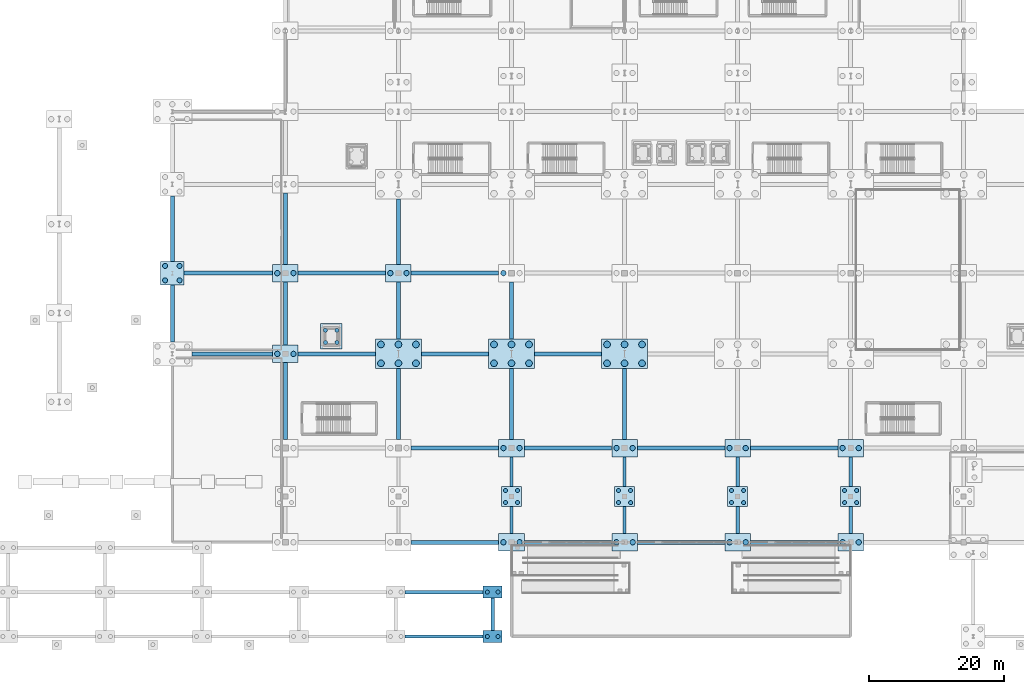
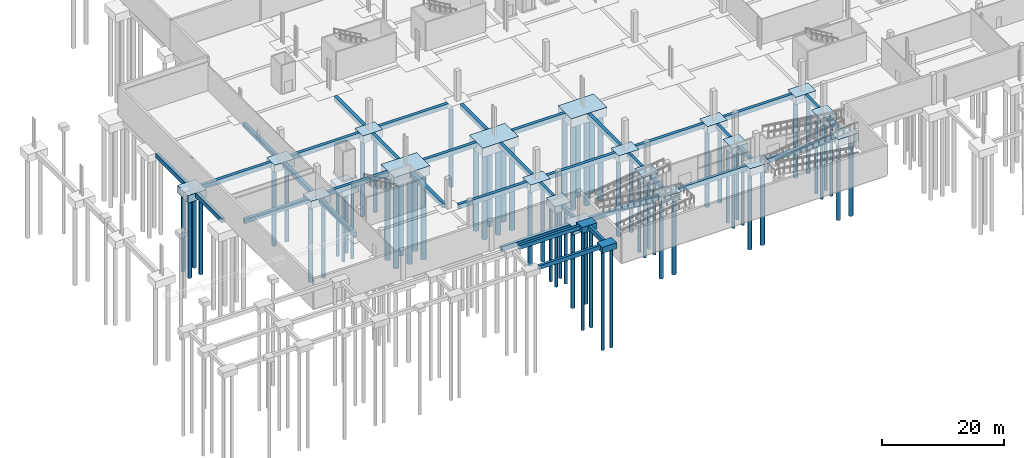
# One storey, part 2 of 46: 69 piles, 59 footings.
"""IFC4 building model written with IfcOpenShell, lengths in metres."""

from ifc_helpers import new_model, si_unit, direction, frame, origin, origin_2d, place, context, subcontext, project, spatial, rectangle, circle, extrude, material, material_profile, profile_set, type_object, element, save


model = new_model("IFC4")

# Units and contexts
model_context = context("Model", 3, precision=1e-05, world=origin(), true_north=direction((0.0, 1.0)))
body_context = subcontext(model_context, "Body", "Model", "MODEL_VIEW")
ifc_project = project(units=[si_unit("LENGTHUNIT", "METRE"), si_unit("AREAUNIT", "SQUARE_METRE"), si_unit("VOLUMEUNIT", "CUBIC_METRE"), si_unit("PLANEANGLEUNIT", "RADIAN"), si_unit("MASSUNIT", "GRAM", prefix="KILO")], contexts=[model_context])

# Site, building, storey
site_placement = place(None, origin())
site = spatial("IfcSite", under=ifc_project, at=site_placement, CompositionType="ELEMENT")
building_placement = place(site_placement, origin())
building = spatial("IfcBuilding", under=site, at=building_placement, Name="Kimbaza Rail Terminus", CompositionType="ELEMENT")
storey_placement = place(building_placement, frame((0.0, 0.0, -6.0)))
storey = spatial("IfcBuildingStorey", under=building, at=storey_placement, Name="B1", CompositionType="ELEMENT", Elevation=-6.0)

# Footings
ifc_material_1 = material(Name="Concrete C40/50", Category="concrete")
ifc_material_profile_1 = material_profile(ifc_material_1, rectangle(XDim=0.60009765625, YDim=0.89990234375, at=origin_2d()), Name="GB-01 600x900")
ifc_profile_set_1 = profile_set([ifc_material_profile_1], Name="Concrete C40/50")
footing_type_1 = type_object("IfcFootingType", Name="STR-GB-01", PredefinedType="FOOTING_BEAM", material=ifc_profile_set_1)
footing_1_placement = place(storey_placement, frame((41.302001953125, 55.0, -0.449951171875), z_axis=(1.0, 0.0, 0.0), x_axis=(0.0, 1.0, 0.0)))
element("IfcFooting", 1, at=footing_1_placement, inside=storey, type_object=footing_type_1, Name="Ground Tie Beam GB-V2X-0-2", PredefinedType="FOOTING_BEAM", context=body_context, shape_type="SweptSolid", body=[
    extrude(rectangle(XDim=0.60009765625, YDim=0.89990234375, at=origin_2d()), origin(), (0.0, 0.0, 1.0), 11.99609375),
])
footing_2_placement = place(storey_placement, frame((38.39990234375, 56.802001953125, -0.449951171875), z_axis=(0.0, 1.0, 0.0), x_axis=(-1.0, 0.0, 0.0)))
element("IfcFooting", 2, at=footing_2_placement, inside=storey, type_object=footing_type_1, Name="Ground Tie Beam GB-V2Y-0-2", PredefinedType="FOOTING_BEAM", context=body_context, shape_type="SweptSolid", body=[
    extrude(rectangle(XDim=0.60009765625, YDim=0.89990234375, at=origin_2d()), origin(), (0.0, 0.0, 1.0), 8.446044921875),
])
footing_3_placement = place(storey_placement, frame((40.152099609375, 67.0, -0.449951171875), z_axis=(1.0, 0.0, 0.0), x_axis=(0.0, 1.0, 0.0)))
element("IfcFooting", 3, at=footing_3_placement, inside=storey, type_object=footing_type_1, Name="Ground Tie Beam GB-V2X-0-3", PredefinedType="FOOTING_BEAM", context=body_context, shape_type="SweptSolid", body=[
    extrude(rectangle(XDim=0.60009765625, YDim=0.89990234375, at=origin_2d()), origin(), (0.0, 0.0, 1.0), 13.14599609375),
])
footing_4_placement = place(storey_placement, frame((38.39990234375, 68.751953125, -0.449951171875), z_axis=(0.0, 1.0, 0.0), x_axis=(-1.0, 0.0, 0.0)))
element("IfcFooting", 4, at=footing_4_placement, inside=storey, type_object=footing_type_1, Name="Ground Tie Beam GB-V2Y-0-3", PredefinedType="FOOTING_BEAM", context=body_context, shape_type="SweptSolid", body=[
    extrude(rectangle(XDim=0.60009765625, YDim=0.89990234375, at=origin_2d()), origin(), (0.0, 0.0, 1.0), 9.696044921875),
])
footing_5_placement = place(storey_placement, frame((55.199951171875, 42.302001953125, -0.449951171875), z_axis=(0.0, 1.0, 0.0), x_axis=(-1.0, 0.0, 0.0)))
element("IfcFooting", 5, at=footing_5_placement, inside=storey, type_object=footing_type_1, Name="Ground Tie Beam GB-V2Y-1-1", PredefinedType="FOOTING_BEAM", context=body_context, shape_type="SweptSolid", body=[
    extrude(rectangle(XDim=0.60009765625, YDim=0.89990234375, at=origin_2d()), origin(), (0.0, 0.0, 1.0), 11.39599609375),
])
footing_6_placement = place(storey_placement, frame((57.10205078125, 55.0, -0.449951171875), z_axis=(1.0, 0.0, 0.0), x_axis=(0.0, 1.0, 0.0)))
element("IfcFooting", 6, at=footing_6_placement, inside=storey, type_object=footing_type_1, Name="Ground Tie Beam GB-V2X-1-2", PredefinedType="FOOTING_BEAM", context=body_context, shape_type="SweptSolid", body=[
    extrude(rectangle(XDim=0.60009765625, YDim=0.89990234375, at=origin_2d()), origin(), (0.0, 0.0, 1.0), 11.495849609375),
])
footing_7_placement = place(storey_placement, frame((55.199951171875, 56.302001953125, -0.449951171875), z_axis=(0.0, 1.0, 0.0), x_axis=(-1.0, 0.0, 0.0)))
element("IfcFooting", 7, at=footing_7_placement, inside=storey, type_object=footing_type_1, Name="Ground Tie Beam GB-V2Y-1-2", PredefinedType="FOOTING_BEAM", context=body_context, shape_type="SweptSolid", body=[
    extrude(rectangle(XDim=0.60009765625, YDim=0.89990234375, at=origin_2d()), origin(), (0.0, 0.0, 1.0), 9.39599609375),
])
footing_8_placement = place(storey_placement, frame((57.10205078125, 67.0, -0.449951171875), z_axis=(1.0, 0.0, 0.0), x_axis=(0.0, 1.0, 0.0)))
element("IfcFooting", 8, at=footing_8_placement, inside=storey, type_object=footing_type_1, Name="Ground Tie Beam GB-V2X-1-3", PredefinedType="FOOTING_BEAM", context=body_context, shape_type="SweptSolid", body=[
    extrude(rectangle(XDim=0.60009765625, YDim=0.89990234375, at=origin_2d()), origin(), (0.0, 0.0, 1.0), 12.995849609375),
])
footing_9_placement = place(storey_placement, frame((55.199951171875, 68.302001953125, -0.449951171875), z_axis=(0.0, 1.0, 0.0), x_axis=(-1.0, 0.0, 0.0)))
element("IfcFooting", 9, at=footing_9_placement, inside=storey, type_object=footing_type_1, Name="Ground Tie Beam GB-V2Y-1-3", PredefinedType="FOOTING_BEAM", context=body_context, shape_type="SweptSolid", body=[
    extrude(rectangle(XDim=0.60009765625, YDim=0.89990234375, at=origin_2d()), origin(), (0.0, 0.0, 1.0), 10.595947265625),
])
for number, where, z_axis, x_axis, name in (
    (10, (73.902099609375, 27.0, -0.449951171875), (1.0, 0.0, 0.0), (0.0, 1.0, 0.0), "Ground Tie Beam GB-V2X-2-0"),
    (11, (73.902099609375, 41.0, -0.449951171875), (1.0, 0.0, 0.0), (0.0, 1.0, 0.0), "Ground Tie Beam GB-V2X-2-1"),
):
    element("IfcFooting", number, at=place(storey_placement, frame(where, z_axis=z_axis, x_axis=x_axis)), inside=storey, type_object=footing_type_1, Name=name, PredefinedType="FOOTING_BEAM", context=body_context, shape_type="SweptSolid", body=[
        extrude(rectangle(XDim=0.60009765625, YDim=0.89990234375, at=origin_2d()), origin(), (0.0, 0.0, 1.0), 12.995849609375),
    ])
footing_10_placement = place(storey_placement, frame((72.0, 42.302001953125, -0.449951171875), z_axis=(0.0, 1.0, 0.0), x_axis=(-1.0, 0.0, 0.0)))
element("IfcFooting", 12, at=footing_10_placement, inside=storey, type_object=footing_type_1, Name="Ground Tie Beam GB-V2Y-2-1", PredefinedType="FOOTING_BEAM", context=body_context, shape_type="SweptSolid", body=[
    extrude(rectangle(XDim=0.60009765625, YDim=0.89990234375, at=origin_2d()), origin(), (0.0, 0.0, 1.0), 10.49609375),
])
footing_11_placement = place(storey_placement, frame((75.402099609375, 55.0, -0.449951171875), z_axis=(1.0, 0.0, 0.0), x_axis=(0.0, 1.0, 0.0)))
element("IfcFooting", 13, at=footing_11_placement, inside=storey, type_object=footing_type_1, Name="Ground Tie Beam GB-V2X-2-2", PredefinedType="FOOTING_BEAM", context=body_context, shape_type="SweptSolid", body=[
    extrude(rectangle(XDim=0.60009765625, YDim=0.89990234375, at=origin_2d()), origin(), (0.0, 0.0, 1.0), 9.995849609375),
])
footing_12_placement = place(storey_placement, frame((72.0, 57.201904296875, -0.449951171875), z_axis=(0.0, 1.0, 0.0), x_axis=(-1.0, 0.0, 0.0)))
element("IfcFooting", 14, at=footing_12_placement, inside=storey, type_object=footing_type_1, Name="Ground Tie Beam GB-V2Y-2-2", PredefinedType="FOOTING_BEAM", context=body_context, shape_type="SweptSolid", body=[
    extrude(rectangle(XDim=0.60009765625, YDim=0.89990234375, at=origin_2d()), origin(), (0.0, 0.0, 1.0), 8.49609375),
])
footing_13_placement = place(storey_placement, frame((73.902099609375, 67.0, -0.449951171875), z_axis=(1.0, 0.0, 0.0), x_axis=(0.0, 1.0, 0.0)))
element("IfcFooting", 15, at=footing_13_placement, inside=storey, type_object=footing_type_1, Name="Ground Tie Beam GB-V2X-2-3", PredefinedType="FOOTING_BEAM", context=body_context, shape_type="SweptSolid", body=[
    extrude(rectangle(XDim=0.60009765625, YDim=0.89990234375, at=origin_2d()), origin(), (0.0, 0.0, 1.0), 12.995849609375),
])
footing_14_placement = place(storey_placement, frame((72.0, 68.302001953125, -0.449951171875), z_axis=(0.0, 1.0, 0.0), x_axis=(-1.0, 0.0, 0.0)))
element("IfcFooting", 16, at=footing_14_placement, inside=storey, type_object=footing_type_1, Name="Ground Tie Beam GB-V2Y-2-3", PredefinedType="FOOTING_BEAM", context=body_context, shape_type="SweptSolid", body=[
    extrude(rectangle(XDim=0.60009765625, YDim=0.89990234375, at=origin_2d()), origin(), (0.0, 0.0, 1.0), 9.696044921875),
])
for number, where, z_axis, x_axis, name in (
    (17, (90.701904296875, 27.0, -0.449951171875), (1.0, 0.0, 0.0), (0.0, 1.0, 0.0), "Ground Tie Beam GB-V2X-3-0"),
    (18, (90.701904296875, 41.0, -0.449951171875), (1.0, 0.0, 0.0), (0.0, 1.0, 0.0), "Ground Tie Beam GB-V2X-3-1"),
):
    element("IfcFooting", number, at=place(storey_placement, frame(where, z_axis=z_axis, x_axis=x_axis)), inside=storey, type_object=footing_type_1, Name=name, PredefinedType="FOOTING_BEAM", context=body_context, shape_type="SweptSolid", body=[
        extrude(rectangle(XDim=0.60009765625, YDim=0.89990234375, at=origin_2d()), origin(), (0.0, 0.0, 1.0), 12.99609375),
    ])
footing_15_placement = place(storey_placement, frame((88.800048828125, 42.302001953125, -0.449951171875), z_axis=(0.0, 1.0, 0.0), x_axis=(-1.0, 0.0, 0.0)))
element("IfcFooting", 19, at=footing_15_placement, inside=storey, type_object=footing_type_1, Name="Ground Tie Beam GB-V2Y-3-1", PredefinedType="FOOTING_BEAM", context=body_context, shape_type="SweptSolid", body=[
    extrude(rectangle(XDim=0.60009765625, YDim=0.89990234375, at=origin_2d()), origin(), (0.0, 0.0, 1.0), 10.49609375),
])
footing_16_placement = place(storey_placement, frame((92.201904296875, 55.0, -0.449951171875), z_axis=(1.0, 0.0, 0.0), x_axis=(0.0, 1.0, 0.0)))
element("IfcFooting", 20, at=footing_16_placement, inside=storey, type_object=footing_type_1, Name="Ground Tie Beam GB-V2X-3-2", PredefinedType="FOOTING_BEAM", context=body_context, shape_type="SweptSolid", body=[
    extrude(rectangle(XDim=0.60009765625, YDim=0.89990234375, at=origin_2d()), origin(), (0.0, 0.0, 1.0), 9.99609375),
])
footing_17_placement = place(storey_placement, frame((88.800048828125, 57.201904296875, -0.449951171875), z_axis=(0.0, 1.0, 0.0), x_axis=(-1.0, 0.0, 0.0)))
element("IfcFooting", 21, at=footing_17_placement, inside=storey, type_object=footing_type_1, Name="Ground Tie Beam GB-V2Y-3-2", PredefinedType="FOOTING_BEAM", context=body_context, shape_type="SweptSolid", body=[
    extrude(rectangle(XDim=0.60009765625, YDim=0.89990234375, at=origin_2d()), origin(), (0.0, 0.0, 1.0), 8.49609375),
])
for number, where, z_axis, x_axis, name in (
    (22, (107.501953125, 27.0, -0.449951171875), (1.0, 0.0, 0.0), (0.0, 1.0, 0.0), "Ground Tie Beam GB-V2X-4-0"),
    (23, (107.501953125, 41.0, -0.449951171875), (1.0, 0.0, 0.0), (0.0, 1.0, 0.0), "Ground Tie Beam GB-V2X-4-1"),
):
    element("IfcFooting", number, at=place(storey_placement, frame(where, z_axis=z_axis, x_axis=x_axis)), inside=storey, type_object=footing_type_1, Name=name, PredefinedType="FOOTING_BEAM", context=body_context, shape_type="SweptSolid", body=[
        extrude(rectangle(XDim=0.60009765625, YDim=0.89990234375, at=origin_2d()), origin(), (0.0, 0.0, 1.0), 12.99609375),
    ])
footing_18_placement = place(storey_placement, frame((105.60009765625, 42.302001953125, -0.449951171875), z_axis=(0.0, 1.0, 0.0), x_axis=(-1.0, 0.0, 0.0)))
element("IfcFooting", 24, at=footing_18_placement, inside=storey, type_object=footing_type_1, Name="Ground Tie Beam GB-V2Y-4-1", PredefinedType="FOOTING_BEAM", context=body_context, shape_type="SweptSolid", body=[
    extrude(rectangle(XDim=0.60009765625, YDim=0.89990234375, at=origin_2d()), origin(), (0.0, 0.0, 1.0), 10.49609375),
])
for number, where, z_axis, x_axis, name in (
    (25, (124.302001953125, 27.0, -0.449951171875), (1.0, 0.0, 0.0), (0.0, 1.0, 0.0), "Ground Tie Beam GB-V2X-5-0"),
    (26, (124.302001953125, 41.0, -0.449951171875), (1.0, 0.0, 0.0), (0.0, 1.0, 0.0), "Ground Tie Beam GB-V2X-5-1"),
):
    element("IfcFooting", number, at=place(storey_placement, frame(where, z_axis=z_axis, x_axis=x_axis)), inside=storey, type_object=footing_type_1, Name=name, PredefinedType="FOOTING_BEAM", context=body_context, shape_type="SweptSolid", body=[
        extrude(rectangle(XDim=0.60009765625, YDim=0.89990234375, at=origin_2d()), origin(), (0.0, 0.0, 1.0), 12.99609375),
    ])
ifc_material_2 = material(Name="Concrete C40/50", Category="concrete")
ifc_material_profile_2 = material_profile(ifc_material_2, rectangle(XDim=0.5, YDim=0.800048828125, at=origin_2d()), Name="GB-02 500x800")
ifc_profile_set_2 = profile_set([ifc_material_profile_2], Name="Concrete C40/50")
footing_type_2 = type_object("IfcFootingType", Name="STR-GB-02", PredefinedType="FOOTING_BEAM", material=ifc_profile_set_2)
footing_19_placement = place(storey_placement, frame((88.800048828125, 28.302001953125, -0.39990234375), z_axis=(0.0, 1.0, 0.0), x_axis=(-1.0, 0.0, 0.0)))
element("IfcFooting", 27, at=footing_19_placement, inside=storey, type_object=footing_type_2, Name="Ground Tie Beam GB-COL-2A", PredefinedType="FOOTING_BEAM", context=body_context, shape_type="SweptSolid", body=[
    extrude(rectangle(XDim=0.5, YDim=0.800048828125, at=origin_2d()), origin(), (0.0, 0.0, 1.0), 3.99609375),
])
footing_20_placement = place(storey_placement, frame((88.800048828125, 35.302001953125, -0.39990234375), z_axis=(0.0, 1.0, 0.0), x_axis=(-1.0, 0.0, 0.0)))
element("IfcFooting", 28, at=footing_20_placement, inside=storey, type_object=footing_type_2, Name="Ground Tie Beam GB-COL-2B", PredefinedType="FOOTING_BEAM", context=body_context, shape_type="SweptSolid", body=[
    extrude(rectangle(XDim=0.5, YDim=0.800048828125, at=origin_2d()), origin(), (0.0, 0.0, 1.0), 4.39599609375),
])
footing_21_placement = place(storey_placement, frame((105.60009765625, 28.302001953125, -0.39990234375), z_axis=(0.0, 1.0, 0.0), x_axis=(-1.0, 0.0, 0.0)))
element("IfcFooting", 29, at=footing_21_placement, inside=storey, type_object=footing_type_2, Name="Ground Tie Beam GB-COL-3A", PredefinedType="FOOTING_BEAM", context=body_context, shape_type="SweptSolid", body=[
    extrude(rectangle(XDim=0.5, YDim=0.800048828125, at=origin_2d()), origin(), (0.0, 0.0, 1.0), 3.99609375),
])
footing_22_placement = place(storey_placement, frame((105.60009765625, 35.302001953125, -0.39990234375), z_axis=(0.0, 1.0, 0.0), x_axis=(-1.0, 0.0, 0.0)))
element("IfcFooting", 30, at=footing_22_placement, inside=storey, type_object=footing_type_2, Name="Ground Tie Beam GB-COL-3B", PredefinedType="FOOTING_BEAM", context=body_context, shape_type="SweptSolid", body=[
    extrude(rectangle(XDim=0.5, YDim=0.800048828125, at=origin_2d()), origin(), (0.0, 0.0, 1.0), 4.39599609375),
])
footing_23_placement = place(storey_placement, frame((122.39990234375, 28.302001953125, -0.39990234375), z_axis=(0.0, 1.0, 0.0), x_axis=(-1.0, 0.0, 0.0)))
element("IfcFooting", 31, at=footing_23_placement, inside=storey, type_object=footing_type_2, Name="Ground Tie Beam GB-COL-4A", PredefinedType="FOOTING_BEAM", context=body_context, shape_type="SweptSolid", body=[
    extrude(rectangle(XDim=0.5, YDim=0.800048828125, at=origin_2d()), origin(), (0.0, 0.0, 1.0), 3.99609375),
])
footing_24_placement = place(storey_placement, frame((122.39990234375, 35.302001953125, -0.39990234375), z_axis=(0.0, 1.0, 0.0), x_axis=(-1.0, 0.0, 0.0)))
element("IfcFooting", 32, at=footing_24_placement, inside=storey, type_object=footing_type_2, Name="Ground Tie Beam GB-COL-4B", PredefinedType="FOOTING_BEAM", context=body_context, shape_type="SweptSolid", body=[
    extrude(rectangle(XDim=0.5, YDim=0.800048828125, at=origin_2d()), origin(), (0.0, 0.0, 1.0), 4.39599609375),
])
footing_25_placement = place(storey_placement, frame((139.199951171875, 28.302001953125, -0.39990234375), z_axis=(0.0, 1.0, 0.0), x_axis=(-1.0, 0.0, 0.0)))
element("IfcFooting", 33, at=footing_25_placement, inside=storey, type_object=footing_type_2, Name="Ground Tie Beam GB-COL-5A", PredefinedType="FOOTING_BEAM", context=body_context, shape_type="SweptSolid", body=[
    extrude(rectangle(XDim=0.5, YDim=0.800048828125, at=origin_2d()), origin(), (0.0, 0.0, 1.0), 3.99609375),
])
footing_26_placement = place(storey_placement, frame((139.199951171875, 35.302001953125, -0.39990234375), z_axis=(0.0, 1.0, 0.0), x_axis=(-1.0, 0.0, 0.0)))
element("IfcFooting", 34, at=footing_26_placement, inside=storey, type_object=footing_type_2, Name="Ground Tie Beam GB-COL-5B", PredefinedType="FOOTING_BEAM", context=body_context, shape_type="SweptSolid", body=[
    extrude(rectangle(XDim=0.5, YDim=0.800048828125, at=origin_2d()), origin(), (0.0, 0.0, 1.0), 4.39599609375),
])
for number, where, z_axis, x_axis, name in (
    (35, (73.001953125, 13.0, 4.64990234375), (1.0, 0.0, 0.0), (0.0, 1.0, 0.0), "Ground Tie Beam GB-V3X-4-0"),
    (36, (73.001953125, 19.60009765625, 4.64990234375), (1.0, 0.0, 0.0), (0.0, 1.0, 0.0), "Ground Tie Beam GB-V3X-4-1"),
):
    element("IfcFooting", number, at=place(storey_placement, frame(where, z_axis=z_axis, x_axis=x_axis)), inside=storey, type_object=footing_type_2, Name=name, PredefinedType="FOOTING_BEAM", context=body_context, shape_type="SweptSolid", body=[
        extrude(rectangle(XDim=0.5, YDim=0.800048828125, at=origin_2d()), origin(), (0.0, 0.0, 1.0), 11.595947265625),
    ])
footing_27_placement = place(storey_placement, frame((86.0, 13.902099609375, 4.64990234375), z_axis=(0.0, 1.0, 0.0), x_axis=(-1.0, 0.0, 0.0)))
element("IfcFooting", 37, at=footing_27_placement, inside=storey, type_object=footing_type_2, Name="Ground Tie Beam GB-V3Y-5-0", PredefinedType="FOOTING_BEAM", context=body_context, shape_type="SweptSolid", body=[
    extrude(rectangle(XDim=0.5, YDim=0.800048828125, at=origin_2d()), origin(), (0.0, 0.0, 1.0), 4.7958984375),
])
ifc_material_3 = material(Name="Concrete C40/50", Category="concrete")
footing_type_3 = type_object("IfcFootingType", Name="STR-PC-01", PredefinedType="PILE_CAP", material=ifc_material_3)
for number, where, z_axis, x_axis, name in (
    (38, (86.0, 13.0, 3.85009765625), (0.0, 0.0, 1.0), (1.0, 0.0, 0.0), "Pile Cap PC-01 at (86.0,13.0)"),
    (39, (86.0, 19.60009765625, 3.85009765625), (0.0, 0.0, 1.0), (1.0, 0.0, 0.0), "Pile Cap PC-01 at (86.0,19.6)"),
):
    element("IfcFooting", number, at=place(storey_placement, frame(where, z_axis=z_axis, x_axis=x_axis)), inside=storey, type_object=footing_type_3, Name=name, PredefinedType="PILE_CAP", context=body_context, shape_type="SweptSolid", body=[
        extrude(rectangle(XDim=2.800048828125, YDim=1.800048828125, at=origin_2d()), origin(), (0.0, 0.0, 1.0), 1.199951171875),
    ])
ifc_material_4 = material(Name="Concrete C40/50", Category="concrete")
footing_type_4 = type_object("IfcFootingType", Name="STR-PC-02", PredefinedType="PILE_CAP", material=ifc_material_4)
for number, where, z_axis, x_axis, name in (
    (40, (88.800048828125, 33.800048828125, -1.35009765625), (0.0, 0.0, 1.0), (1.0, 0.0, 0.0), "Pile Cap PC-02 at (88.8,33.8)"),
    (41, (105.60009765625, 33.800048828125, -1.35009765625), (0.0, 0.0, 1.0), (1.0, 0.0, 0.0), "Pile Cap PC-02 at (105.6,33.8)"),
    (42, (122.39990234375, 33.800048828125, -1.35009765625), (0.0, 0.0, 1.0), (1.0, 0.0, 0.0), "Pile Cap PC-02 at (122.4,33.8)"),
    (43, (139.199951171875, 33.800048828125, -1.35009765625), (0.0, 0.0, 1.0), (1.0, 0.0, 0.0), "Pile Cap PC-02 at (139.2,33.8)"),
):
    element("IfcFooting", number, at=place(storey_placement, frame(where, z_axis=z_axis, x_axis=x_axis)), inside=storey, type_object=footing_type_4, Name=name, PredefinedType="PILE_CAP", context=body_context, shape_type="SweptSolid", body=[
        extrude(rectangle(XDim=3.0, YDim=3.0, at=origin_2d()), origin(), (0.0, 0.0, 1.0), 1.35009765625),
    ])
ifc_material_5 = material(Name="Concrete C40/50", Category="concrete")
footing_type_5 = type_object("IfcFootingType", Name="STR-PC-03", PredefinedType="PILE_CAP", material=ifc_material_5)
footing_28_placement = place(storey_placement, frame((38.39990234375, 67.0, -1.5), z_axis=(0.0, 0.0, 1.0), x_axis=(1.0, 0.0, 0.0)))
element("IfcFooting", 44, at=footing_28_placement, inside=storey, type_object=footing_type_5, Name="Pile Cap PC-03 at (38.4,67.0)", PredefinedType="PILE_CAP", context=body_context, shape_type="SweptSolid", body=[
    extrude(rectangle(XDim=3.5, YDim=3.5, at=origin_2d()), origin(), (0.0, 0.0, 1.0), 1.5),
])
ifc_material_6 = material(Name="Concrete C40/50", Category="concrete")
footing_type_6 = type_object("IfcFootingType", Name="STR-PC-04", PredefinedType="PILE_CAP", material=ifc_material_6)
for number, where, z_axis, x_axis, name in (
    (45, (55.199951171875, 55.0, -1.5), (0.0, 0.0, 1.0), (1.0, 0.0, 0.0), "Pile Cap PC-04 at (55.2,55.0)"),
    (46, (55.199951171875, 67.0, -1.5), (0.0, 0.0, 1.0), (1.0, 0.0, 0.0), "Pile Cap PC-04 at (55.2,67.0)"),
    (47, (72.0, 67.0, -1.5), (0.0, 0.0, 1.0), (1.0, 0.0, 0.0), "Pile Cap PC-04 at (72.0,67.0)"),
    (48, (88.800048828125, 27.0, -1.5), (0.0, 0.0, 1.0), (1.0, 0.0, 0.0), "Pile Cap PC-04 at (88.8,27.0)"),
    (49, (88.800048828125, 41.0, -1.5), (0.0, 0.0, 1.0), (1.0, 0.0, 0.0), "Pile Cap PC-04 at (88.8,41.0)"),
    (50, (105.60009765625, 27.0, -1.5), (0.0, 0.0, 1.0), (1.0, 0.0, 0.0), "Pile Cap PC-04 at (105.6,27.0)"),
    (51, (105.60009765625, 41.0, -1.5), (0.0, 0.0, 1.0), (1.0, 0.0, 0.0), "Pile Cap PC-04 at (105.6,41.0)"),
    (52, (122.39990234375, 27.0, -1.5), (0.0, 0.0, 1.0), (1.0, 0.0, 0.0), "Pile Cap PC-04 at (122.4,27.0)"),
    (53, (122.39990234375, 41.0, -1.5), (0.0, 0.0, 1.0), (1.0, 0.0, 0.0), "Pile Cap PC-04 at (122.4,41.0)"),
    (54, (139.199951171875, 27.0, -1.5), (0.0, 0.0, 1.0), (1.0, 0.0, 0.0), "Pile Cap PC-04 at (139.2,27.0)"),
    (55, (139.199951171875, 41.0, -1.5), (0.0, 0.0, 1.0), (1.0, 0.0, 0.0), "Pile Cap PC-04 at (139.2,41.0)"),
):
    element("IfcFooting", number, at=place(storey_placement, frame(where, z_axis=z_axis, x_axis=x_axis)), inside=storey, type_object=footing_type_6, Name=name, PredefinedType="PILE_CAP", context=body_context, shape_type="SweptSolid", body=[
        extrude(rectangle(XDim=3.800048828125, YDim=2.60009765625, at=origin_2d()), origin(), (0.0, 0.0, 1.0), 1.5),
    ])
ifc_material_7 = material(Name="Concrete C40/50", Category="concrete")
footing_type_7 = type_object("IfcFootingType", Name="STR-PC-06", PredefinedType="PILE_CAP", material=ifc_material_7)
for number, where, z_axis, x_axis, name in (
    (56, (72.0, 55.0, -1.7998046875), (0.0, 0.0, 1.0), (1.0, 0.0, 0.0), "Pile Cap PC-06 at (72.0,55.0)"),
    (57, (88.800048828125, 55.0, -1.7998046875), (0.0, 0.0, 1.0), (1.0, 0.0, 0.0), "Pile Cap PC-06 at (88.8,55.0)"),
    (58, (105.60009765625, 55.0, -1.7998046875), (0.0, 0.0, 1.0), (1.0, 0.0, 0.0), "Pile Cap PC-06 at (105.6,55.0)"),
):
    element("IfcFooting", number, at=place(storey_placement, frame(where, z_axis=z_axis, x_axis=x_axis)), inside=storey, type_object=footing_type_7, Name=name, PredefinedType="PILE_CAP", context=body_context, shape_type="SweptSolid", body=[
        extrude(rectangle(XDim=6.800048828125, YDim=4.39990234375, at=origin_2d()), origin(), (0.0, 0.0, 1.0), 1.800048828125),
    ])
ifc_material_8 = material(Name="Concrete C40/50", Category="concrete")
footing_type_8 = type_object("IfcFootingType", Name="STR-PC-11", PredefinedType="PILE_CAP", material=ifc_material_8)
footing_29_placement = place(storey_placement, frame((62.0, 57.60009765625, -2.85009765625), z_axis=(0.0, 0.0, 1.0), x_axis=(1.0, 0.0, 0.0)))
element("IfcFooting", 59, at=footing_29_placement, inside=storey, type_object=footing_type_8, Name="Pile Cap PC-11 at (62.0,57.6)", PredefinedType="PILE_CAP", context=body_context, shape_type="SweptSolid", body=[
    extrude(rectangle(XDim=3.199951171875, YDim=3.800048828125, at=origin_2d()), origin(), (0.0, 0.0, 1.0), 1.199951171875),
])

# Piles
ifc_material_9 = material(Name="Concrete C35/45", Category="concrete")
ifc_material_profile_3 = material_profile(ifc_material_9, circle(Radius=0.5, at=origin_2d()), Name="BORED PILE 1000")
ifc_profile_set_3 = profile_set([ifc_material_profile_3], Name="Concrete C35/45")
pile_type_1 = type_object("IfcPileType", Name="STR-PILE-1000", PredefinedType="BORED", material=ifc_profile_set_3)
for number, where, z_axis, x_axis, name in (
    (60, (69.39990234375, 53.60009765625, -1.699951171875), (0.0, 0.0, -1.0), (1.0, 0.0, 0.0), "Bored Pile 1000 #1"),
    (61, (72.0, 53.60009765625, -1.699951171875), (0.0, 0.0, -1.0), (1.0, 0.0, 0.0), "Bored Pile 1000 #2"),
    (62, (74.60009765625, 53.60009765625, -1.699951171875), (0.0, 0.0, -1.0), (1.0, 0.0, 0.0), "Bored Pile 1000 #3"),
    (63, (69.39990234375, 56.39990234375, -1.699951171875), (0.0, 0.0, -1.0), (1.0, 0.0, 0.0), "Bored Pile 1000 #4"),
    (64, (72.0, 56.39990234375, -1.699951171875), (0.0, 0.0, -1.0), (1.0, 0.0, 0.0), "Bored Pile 1000 #5"),
    (65, (74.60009765625, 56.39990234375, -1.699951171875), (0.0, 0.0, -1.0), (1.0, 0.0, 0.0), "Bored Pile 1000 #6"),
    (66, (86.199951171875, 53.60009765625, -1.699951171875), (0.0, 0.0, -1.0), (1.0, 0.0, 0.0), "Bored Pile 1000 #1"),
    (67, (88.800048828125, 53.60009765625, -1.699951171875), (0.0, 0.0, -1.0), (1.0, 0.0, 0.0), "Bored Pile 1000 #2"),
    (68, (91.39990234375, 53.60009765625, -1.699951171875), (0.0, 0.0, -1.0), (1.0, 0.0, 0.0), "Bored Pile 1000 #3"),
    (69, (86.199951171875, 56.39990234375, -1.699951171875), (0.0, 0.0, -1.0), (1.0, 0.0, 0.0), "Bored Pile 1000 #4"),
    (70, (88.800048828125, 56.39990234375, -1.699951171875), (0.0, 0.0, -1.0), (1.0, 0.0, 0.0), "Bored Pile 1000 #5"),
    (71, (91.39990234375, 56.39990234375, -1.699951171875), (0.0, 0.0, -1.0), (1.0, 0.0, 0.0), "Bored Pile 1000 #6"),
    (72, (103.0, 53.60009765625, -1.699951171875), (0.0, 0.0, -1.0), (1.0, 0.0, 0.0), "Bored Pile 1000 #1"),
    (73, (105.60009765625, 53.60009765625, -1.699951171875), (0.0, 0.0, -1.0), (1.0, 0.0, 0.0), "Bored Pile 1000 #2"),
    (74, (108.199951171875, 53.60009765625, -1.699951171875), (0.0, 0.0, -1.0), (1.0, 0.0, 0.0), "Bored Pile 1000 #3"),
    (75, (103.0, 56.39990234375, -1.699951171875), (0.0, 0.0, -1.0), (1.0, 0.0, 0.0), "Bored Pile 1000 #4"),
    (76, (105.60009765625, 56.39990234375, -1.699951171875), (0.0, 0.0, -1.0), (1.0, 0.0, 0.0), "Bored Pile 1000 #5"),
    (77, (108.199951171875, 56.39990234375, -1.699951171875), (0.0, 0.0, -1.0), (1.0, 0.0, 0.0), "Bored Pile 1000 #6"),
):
    element("IfcPile", number, at=place(storey_placement, frame(where, z_axis=z_axis, x_axis=x_axis)), inside=storey, type_object=pile_type_1, Name=name, PredefinedType="BORED", context=body_context, shape_type="SweptSolid", body=[
        extrude(circle(Radius=0.5, at=origin_2d()), origin(), (0.0, 0.0, 1.0), 17.10009765625),
    ])
ifc_material_10 = material(Name="Concrete C35/45", Category="concrete")
ifc_material_profile_4 = material_profile(ifc_material_10, circle(Radius=0.300048828125, at=origin_2d()), Name="BORED PILE 600")
ifc_profile_set_4 = profile_set([ifc_material_profile_4], Name="Concrete C35/45")
pile_type_2 = type_object("IfcPileType", Name="STR-PILE-600", PredefinedType="BORED", material=ifc_profile_set_4)
for number, where, z_axis, x_axis, name in (
    (78, (87.89990234375, 32.89990234375, -1.25), (0.0, 0.0, -1.0), (1.0, 0.0, 0.0), "Bored Pile 600 #1"),
    (79, (89.699951171875, 32.89990234375, -1.25), (0.0, 0.0, -1.0), (1.0, 0.0, 0.0), "Bored Pile 600 #2"),
    (80, (87.89990234375, 34.699951171875, -1.25), (0.0, 0.0, -1.0), (1.0, 0.0, 0.0), "Bored Pile 600 #3"),
    (81, (89.699951171875, 34.699951171875, -1.25), (0.0, 0.0, -1.0), (1.0, 0.0, 0.0), "Bored Pile 600 #4"),
    (82, (104.699951171875, 32.89990234375, -1.25), (0.0, 0.0, -1.0), (1.0, 0.0, 0.0), "Bored Pile 600 #1"),
    (83, (106.5, 32.89990234375, -1.25), (0.0, 0.0, -1.0), (1.0, 0.0, 0.0), "Bored Pile 600 #2"),
    (84, (104.699951171875, 34.699951171875, -1.25), (0.0, 0.0, -1.0), (1.0, 0.0, 0.0), "Bored Pile 600 #3"),
    (85, (106.5, 34.699951171875, -1.25), (0.0, 0.0, -1.0), (1.0, 0.0, 0.0), "Bored Pile 600 #4"),
    (86, (121.5, 32.89990234375, -1.25), (0.0, 0.0, -1.0), (1.0, 0.0, 0.0), "Bored Pile 600 #1"),
    (87, (123.300048828125, 32.89990234375, -1.25), (0.0, 0.0, -1.0), (1.0, 0.0, 0.0), "Bored Pile 600 #2"),
    (88, (121.5, 34.699951171875, -1.25), (0.0, 0.0, -1.0), (1.0, 0.0, 0.0), "Bored Pile 600 #3"),
    (89, (123.300048828125, 34.699951171875, -1.25), (0.0, 0.0, -1.0), (1.0, 0.0, 0.0), "Bored Pile 600 #4"),
    (90, (138.300048828125, 32.89990234375, -1.25), (0.0, 0.0, -1.0), (1.0, 0.0, 0.0), "Bored Pile 600 #1"),
    (91, (140.10009765625, 32.89990234375, -1.25), (0.0, 0.0, -1.0), (1.0, 0.0, 0.0), "Bored Pile 600 #2"),
    (92, (138.300048828125, 34.699951171875, -1.25), (0.0, 0.0, -1.0), (1.0, 0.0, 0.0), "Bored Pile 600 #3"),
    (93, (140.10009765625, 34.699951171875, -1.25), (0.0, 0.0, -1.0), (1.0, 0.0, 0.0), "Bored Pile 600 #4"),
):
    element("IfcPile", number, at=place(storey_placement, frame(where, z_axis=z_axis, x_axis=x_axis)), inside=storey, type_object=pile_type_2, Name=name, PredefinedType="BORED", context=body_context, shape_type="SweptSolid", body=[
        extrude(circle(Radius=0.300048828125, at=origin_2d()), origin(), (0.0, 0.0, 1.0), 15.25),
    ])
for number, where, z_axis, x_axis, name in (
    (94, (61.14990234375, 56.699951171875, -2.75), (0.0, 0.0, -1.0), (1.0, 0.0, 0.0), "Bored Pile 600 #1"),
    (95, (62.85009765625, 56.699951171875, -2.75), (0.0, 0.0, -1.0), (1.0, 0.0, 0.0), "Bored Pile 600 #2"),
    (96, (61.14990234375, 58.5, -2.75), (0.0, 0.0, -1.0), (1.0, 0.0, 0.0), "Bored Pile 600 #3"),
    (97, (62.85009765625, 58.5, -2.75), (0.0, 0.0, -1.0), (1.0, 0.0, 0.0), "Bored Pile 600 #4"),
):
    element("IfcPile", number, at=place(storey_placement, frame(where, z_axis=z_axis, x_axis=x_axis)), inside=storey, type_object=pile_type_2, Name=name, PredefinedType="BORED", context=body_context, shape_type="SweptSolid", body=[
        extrude(circle(Radius=0.300048828125, at=origin_2d()), origin(), (0.0, 0.0, 1.0), 13.75),
    ])
for number, where, z_axis, x_axis, name in (
    (98, (85.199951171875, 13.0, 3.949951171875), (0.0, 0.0, -1.0), (1.0, 0.0, 0.0), "Bored Pile 600 #1"),
    (99, (86.800048828125, 13.0, 3.949951171875), (0.0, 0.0, -1.0), (1.0, 0.0, 0.0), "Bored Pile 600 #2"),
    (100, (85.199951171875, 19.60009765625, 3.949951171875), (0.0, 0.0, -1.0), (1.0, 0.0, 0.0), "Bored Pile 600 #1"),
    (101, (86.800048828125, 19.60009765625, 3.949951171875), (0.0, 0.0, -1.0), (1.0, 0.0, 0.0), "Bored Pile 600 #2"),
):
    element("IfcPile", number, at=place(storey_placement, frame(where, z_axis=z_axis, x_axis=x_axis)), inside=storey, type_object=pile_type_2, Name=name, PredefinedType="BORED", context=body_context, shape_type="SweptSolid", body=[
        extrude(circle(Radius=0.300048828125, at=origin_2d()), origin(), (0.0, 0.0, 1.0), 20.14990234375),
    ])
ifc_material_11 = material(Name="Concrete C35/45", Category="concrete")
ifc_material_profile_5 = material_profile(ifc_material_11, circle(Radius=0.375, at=origin_2d()), Name="BORED PILE 750")
ifc_profile_set_5 = profile_set([ifc_material_profile_5], Name="Concrete C35/45")
pile_type_3 = type_object("IfcPileType", Name="STR-PILE-750", PredefinedType="BORED", material=ifc_profile_set_5)
for number, where, z_axis, x_axis, name in (
    (102, (37.324951171875, 65.925048828125, -1.39990234375), (0.0, 0.0, -1.0), (1.0, 0.0, 0.0), "Bored Pile 750 #1"),
    (103, (39.47509765625, 65.925048828125, -1.39990234375), (0.0, 0.0, -1.0), (1.0, 0.0, 0.0), "Bored Pile 750 #2"),
    (104, (37.324951171875, 68.074951171875, -1.39990234375), (0.0, 0.0, -1.0), (1.0, 0.0, 0.0), "Bored Pile 750 #3"),
    (105, (39.47509765625, 68.074951171875, -1.39990234375), (0.0, 0.0, -1.0), (1.0, 0.0, 0.0), "Bored Pile 750 #4"),
):
    element("IfcPile", number, at=place(storey_placement, frame(where, z_axis=z_axis, x_axis=x_axis)), inside=storey, type_object=pile_type_3, Name=name, PredefinedType="BORED", context=body_context, shape_type="SweptSolid", body=[
        extrude(circle(Radius=0.375, at=origin_2d()), origin(), (0.0, 0.0, 1.0), 15.60009765625),
    ])
ifc_material_12 = material(Name="Concrete C35/45", Category="concrete")
ifc_material_profile_6 = material_profile(ifc_material_12, circle(Radius=0.39990234375, at=origin_2d()), Name="BORED PILE 800")
ifc_profile_set_6 = profile_set([ifc_material_profile_6], Name="Concrete C35/45")
pile_type_4 = type_object("IfcPileType", Name="STR-PILE-800", PredefinedType="BORED", material=ifc_profile_set_6)
for number, where, z_axis, x_axis, name in (
    (106, (54.0, 55.0, -1.39990234375), (0.0, 0.0, -1.0), (1.0, 0.0, 0.0), "Bored Pile 800 #1"),
    (107, (56.39990234375, 55.0, -1.39990234375), (0.0, 0.0, -1.0), (1.0, 0.0, 0.0), "Bored Pile 800 #2"),
    (108, (54.0, 67.0, -1.39990234375), (0.0, 0.0, -1.0), (1.0, 0.0, 0.0), "Bored Pile 800 #1"),
    (109, (56.39990234375, 67.0, -1.39990234375), (0.0, 0.0, -1.0), (1.0, 0.0, 0.0), "Bored Pile 800 #2"),
    (110, (70.800048828125, 67.0, -1.39990234375), (0.0, 0.0, -1.0), (1.0, 0.0, 0.0), "Bored Pile 800 #1"),
    (111, (73.199951171875, 67.0, -1.39990234375), (0.0, 0.0, -1.0), (1.0, 0.0, 0.0), "Bored Pile 800 #2"),
    (112, (87.60009765625, 27.0, -1.39990234375), (0.0, 0.0, -1.0), (1.0, 0.0, 0.0), "Bored Pile 800 #1"),
    (113, (90.0, 27.0, -1.39990234375), (0.0, 0.0, -1.0), (1.0, 0.0, 0.0), "Bored Pile 800 #2"),
    (114, (87.60009765625, 41.0, -1.39990234375), (0.0, 0.0, -1.0), (1.0, 0.0, 0.0), "Bored Pile 800 #1"),
    (115, (90.0, 41.0, -1.39990234375), (0.0, 0.0, -1.0), (1.0, 0.0, 0.0), "Bored Pile 800 #2"),
    (116, (87.60009765625, 67.0, -1.39990234375), (0.0, 0.0, -1.0), (1.0, 0.0, 0.0), "Bored Pile 800 #1"),
    (117, (104.39990234375, 27.0, -1.39990234375), (0.0, 0.0, -1.0), (1.0, 0.0, 0.0), "Bored Pile 800 #1"),
    (118, (106.800048828125, 27.0, -1.39990234375), (0.0, 0.0, -1.0), (1.0, 0.0, 0.0), "Bored Pile 800 #2"),
    (119, (104.39990234375, 41.0, -1.39990234375), (0.0, 0.0, -1.0), (1.0, 0.0, 0.0), "Bored Pile 800 #1"),
    (120, (106.800048828125, 41.0, -1.39990234375), (0.0, 0.0, -1.0), (1.0, 0.0, 0.0), "Bored Pile 800 #2"),
    (121, (121.199951171875, 27.0, -1.39990234375), (0.0, 0.0, -1.0), (1.0, 0.0, 0.0), "Bored Pile 800 #1"),
    (122, (123.60009765625, 27.0, -1.39990234375), (0.0, 0.0, -1.0), (1.0, 0.0, 0.0), "Bored Pile 800 #2"),
    (123, (121.199951171875, 41.0, -1.39990234375), (0.0, 0.0, -1.0), (1.0, 0.0, 0.0), "Bored Pile 800 #1"),
    (124, (123.60009765625, 41.0, -1.39990234375), (0.0, 0.0, -1.0), (1.0, 0.0, 0.0), "Bored Pile 800 #2"),
    (125, (138.0, 27.0, -1.39990234375), (0.0, 0.0, -1.0), (1.0, 0.0, 0.0), "Bored Pile 800 #1"),
    (126, (140.39990234375, 27.0, -1.39990234375), (0.0, 0.0, -1.0), (1.0, 0.0, 0.0), "Bored Pile 800 #2"),
    (127, (138.0, 41.0, -1.39990234375), (0.0, 0.0, -1.0), (1.0, 0.0, 0.0), "Bored Pile 800 #1"),
    (128, (140.39990234375, 41.0, -1.39990234375), (0.0, 0.0, -1.0), (1.0, 0.0, 0.0), "Bored Pile 800 #2"),
):
    element("IfcPile", number, at=place(storey_placement, frame(where, z_axis=z_axis, x_axis=x_axis)), inside=storey, type_object=pile_type_4, Name=name, PredefinedType="BORED", context=body_context, shape_type="SweptSolid", body=[
        extrude(circle(Radius=0.39990234375, at=origin_2d()), origin(), (0.0, 0.0, 1.0), 15.60009765625),
    ])

save(model, "model.ifc")
